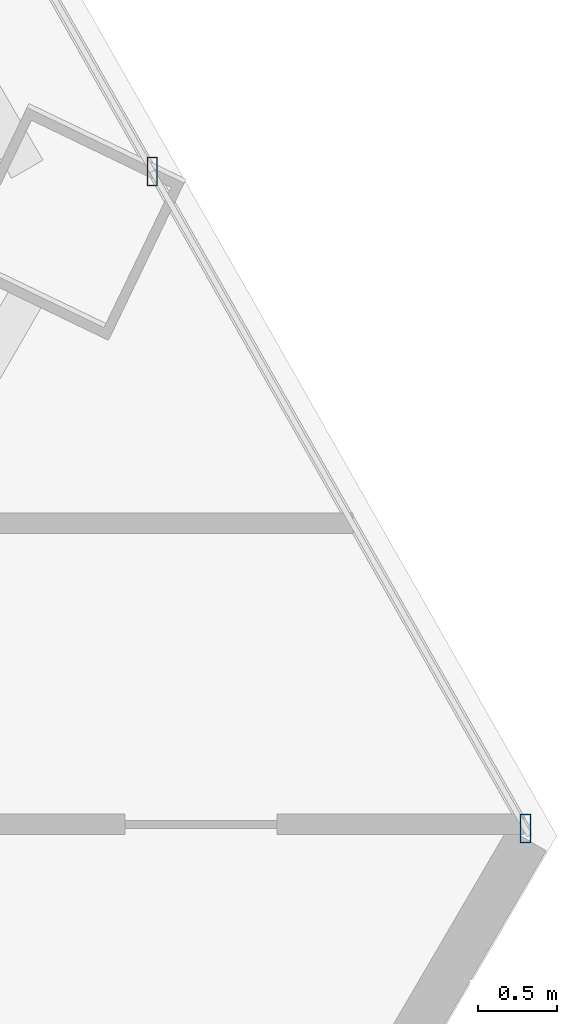
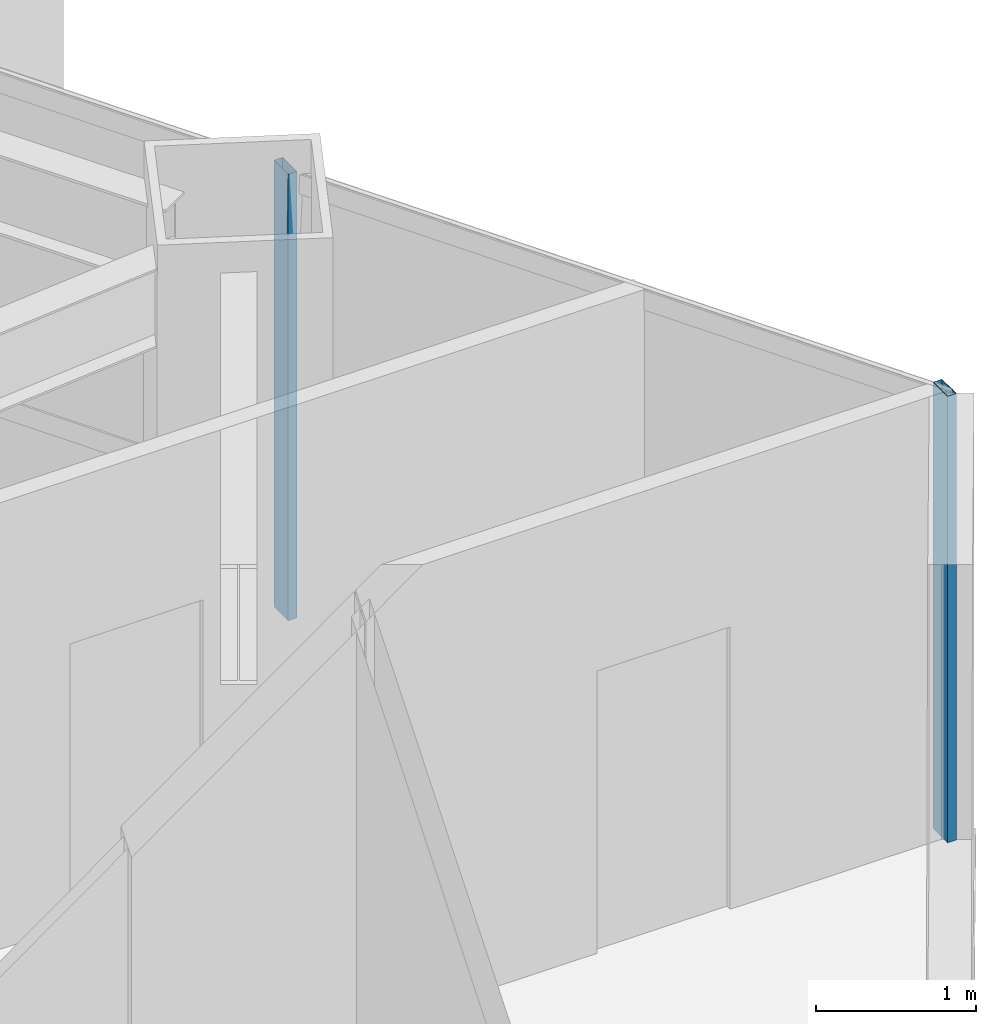
# One storey, part 20 of 37: 2 members, 1 element without a shape of its own.
"""IFC4 building model written with IfcOpenShell, lengths in metres."""

from ifc_helpers import new_model, si_unit, direction, frame, origin, origin_2d, place, context, subcontext, project, spatial, hollow_rectangle, extrude, source, transform, mapped, material, material_profile, profile_set, type_object, type_shapes, element, aggregate, save


model = new_model("IFC4")

# Units and contexts
model_context = context("Model", 3, precision=1e-05, world=origin(), true_north=direction((0.0, 1.0)))
body_context = subcontext(model_context, "Body", "Model", "MODEL_VIEW")
ifc_project = project(units=[si_unit("LENGTHUNIT", "METRE"), si_unit("AREAUNIT", "SQUARE_METRE"), si_unit("VOLUMEUNIT", "CUBIC_METRE"), si_unit("PLANEANGLEUNIT", "RADIAN"), si_unit("MASSUNIT", "GRAM", prefix="KILO")], contexts=[model_context])

# Site, building, storey
site_placement = place(None, origin())
site = spatial("IfcSite", under=ifc_project, at=site_placement, CompositionType="ELEMENT")
building_placement = place(site_placement, origin())
building = spatial("IfcBuilding", under=site, at=building_placement, Name="Caelisora Broadcast Tower", CompositionType="ELEMENT")
storey_placement = place(building_placement, frame((0.0, 0.0, 116.35009765625)))
storey = spatial("IfcBuildingStorey", under=building, at=storey_placement, Name="L30", CompositionType="ELEMENT", Elevation=116.35009765625)

# Curtain wall, members
ifc_material_1 = material(Name="Unitised Aluminium and Low-E Glass Curtain Wall", Category="glass")
curtain_wall_type = type_object("IfcCurtainWallType", Name="CW-Z2", PredefinedType="NOTDEFINED", material=ifc_material_1)
curtain_wall_placement = place(storey_placement, origin())
curtain_wall = element("IfcCurtainWall", 1, at=curtain_wall_placement, inside=storey, type_object=curtain_wall_type, Name="L30 curtain wall CW-Z2", PredefinedType="NOTDEFINED")
ifc_material_2 = material(Name="Aluminium 6063-T6 Anodised Terracotta Bronze", Category="aluminium")
ifc_material_profile = material_profile(ifc_material_2, hollow_rectangle(XDim=0.06494140625, YDim=0.179931640625, WallThickness=0.00341796875, at=origin_2d()), Name="Aluminium 6063-T6 Anodised Terracotta Bronze")
ifc_profile_set = profile_set([ifc_material_profile], Name="Aluminium 6063-T6 Anodised Terracotta Bronze")
member_type = type_object("IfcMemberType", Name="CWM-02", PredefinedType="MULLION", material=ifc_profile_set)
shared_shape = source(origin(), body_context, "Body", "SweptSolid", [
    extrude(hollow_rectangle(XDim=0.06494140625, YDim=0.179931640625, WallThickness=0.00341796875, at=origin_2d()), origin(), (0.0, 0.0, 1.0), 3.39990234375),
])
type_shapes(member_type, [shared_shape])
member_1_placement = place(storey_placement, frame((61.54052734375, 19.319580078125, 0.0), z_axis=(0.0, 0.0, 1.0), x_axis=(1.0, 0.0, 0.0)))
member_1 = element("IfcMember", 2, at=member_1_placement, type_object=member_type, Name="L30-CW-B03 mullion #2", PredefinedType="MULLION", context=body_context, shape_type="MappedRepresentation", body=[
    mapped(shared_shape, transform((0.0, 0.0, 0.0), scale=1.0)),
])
member_2_placement = place(storey_placement, frame((63.895263671875, 15.172607421875, 0.0), z_axis=(0.0, 0.0, 1.0), x_axis=(1.0, 0.0, 0.0)))
member_2 = element("IfcMember", 3, at=member_2_placement, type_object=member_type, Name="L30-CW-B03 mullion #3", PredefinedType="MULLION", context=body_context, shape_type="MappedRepresentation", body=[
    mapped(shared_shape, transform((0.0, 0.0, 0.0), scale=1.0)),
])
aggregate(curtain_wall, [member_1, member_2])

save(model, "model.ifc")
